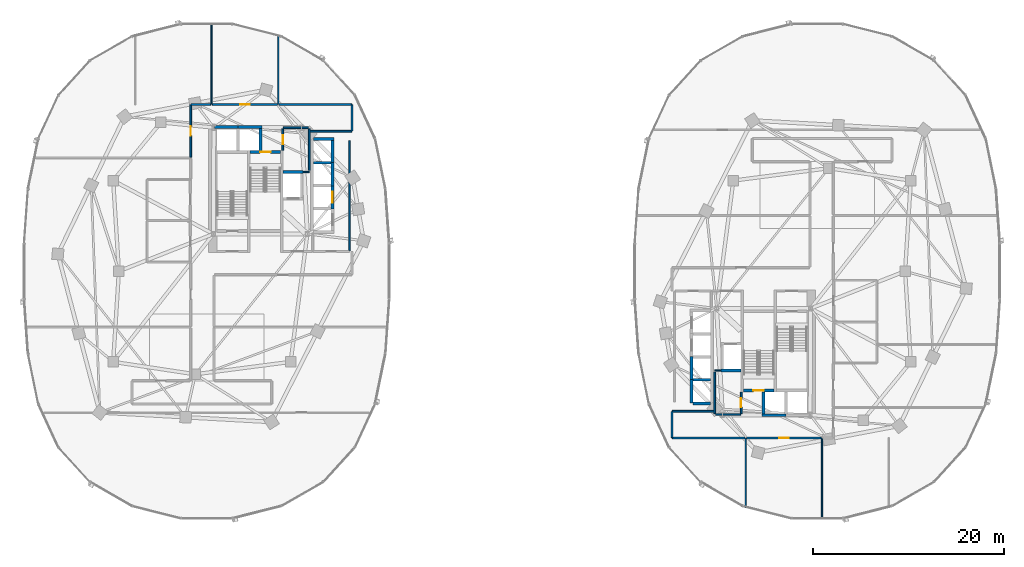
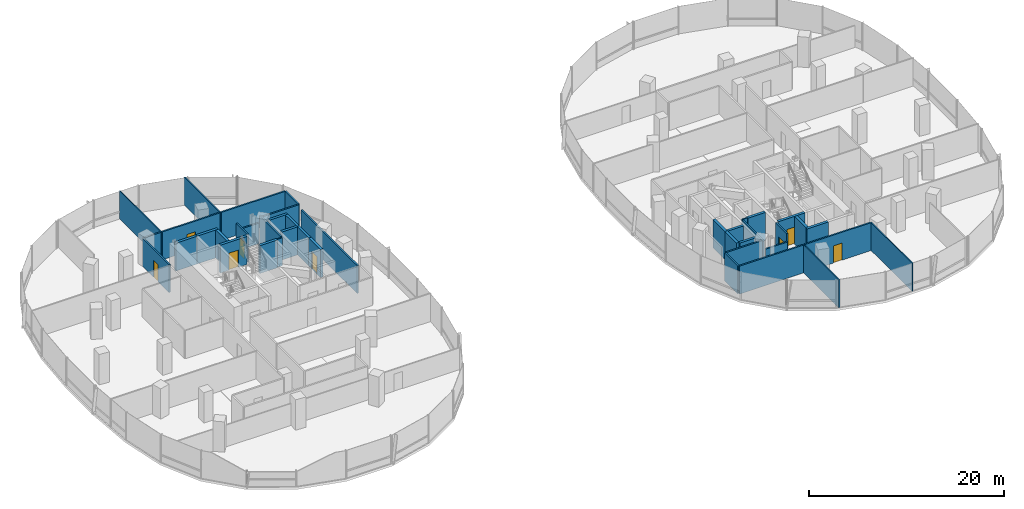
# One storey, part 12 of 21: 41 walls, 8 doors, 8 openings.
"""IFC4 building model written with IfcOpenShell, lengths in metres."""

from ifc_helpers import new_model, si_unit, direction, frame, frame_2d, origin, place, context, subcontext, project, spatial, rectangle, extrude, material, layer, layer_set, type_object, element, fill, save


model = new_model("IFC4")

# Units and contexts
model_context = context("Model", 3, precision=1e-05, world=origin(), true_north=direction((0.0, 1.0)))
body_context = subcontext(model_context, "Body", "Model", "MODEL_VIEW")
ifc_project = project(units=[si_unit("LENGTHUNIT", "METRE"), si_unit("AREAUNIT", "SQUARE_METRE"), si_unit("VOLUMEUNIT", "CUBIC_METRE"), si_unit("PLANEANGLEUNIT", "RADIAN"), si_unit("MASSUNIT", "GRAM", prefix="KILO"), si_unit("THERMODYNAMICTEMPERATUREUNIT", "KELVIN"), si_unit("POWERUNIT", "WATT")], contexts=[model_context])

# Site, building, storey
site_placement = place(None, origin())
site = spatial("IfcSite", under=ifc_project, at=site_placement, CompositionType="ELEMENT")
building_placement = place(site_placement, origin())
building = spatial("IfcBuilding", under=site, at=building_placement, Name="Cundina Bronze Exchange", CompositionType="ELEMENT")
storey_placement = place(building_placement, frame((0.0, 0.0, 58.199951171875)))
storey = spatial("IfcBuildingStorey", under=building, at=storey_placement, Name="L14", CompositionType="ELEMENT", Elevation=58.199951171875)

# Walls
ifc_material_1 = material(Name="Gypsum Fireboard Partition EI120")
ifc_layer_1 = layer(ifc_material_1, 0.179931640625, Name="Gypsum Fireboard Partition EI120")
ifc_layer_set_1 = layer_set([ifc_layer_1], Name="Gypsum Fireboard Partition EI120")
wall_type_1 = type_object("IfcWallType", Name="WL-COR-180", PredefinedType="PARTITIONING", material=ifc_layer_set_1)
wall_1_placement = place(storey_placement, frame((-17.02001953125, 2.169921875, 0.0), z_axis=(0.0, 0.0, 1.0), x_axis=(0.0, 1.0, 0.0)))
element("IfcWall", 1, at=wall_1_placement, inside=storey, type_object=wall_type_1, Name="L14 Interior Partition 001", PredefinedType="PARTITIONING", context=body_context, shape_type="SweptSolid", body=[
    extrude(rectangle(XDim=11.510009765625, YDim=0.179931640625, at=frame_2d((5.7548828125, 0.0))), origin(), (0.0, 0.0, 1.0), 3.5),
])
wall_2_placement = place(storey_placement, frame((-21.25, 10.570068359375, 0.0), z_axis=(0.0, 0.0, 1.0), x_axis=(0.0, 1.0, 0.0)))
element("IfcWall", 2, at=wall_2_placement, inside=storey, type_object=wall_type_1, Name="L14 Interior Partition 004", PredefinedType="PARTITIONING", context=body_context, shape_type="SweptSolid", body=[
    extrude(rectangle(XDim=4.35986328125, YDim=0.179931640625, at=frame_2d((2.179931640625, 0.0))), origin(), (0.0, 0.0, 1.0), 3.5),
])
wall_3_placement = place(storey_placement, frame((-23.9599609375, 15.030029296875, 0.0), z_axis=(0.0, 0.0, 1.0), x_axis=(1.0, 0.0, 0.0)))
element("IfcWall", 3, at=wall_3_placement, inside=storey, type_object=wall_type_1, Name="L14 Interior Partition 005", PredefinedType="PARTITIONING", context=body_context, shape_type="SweptSolid", body=[
    extrude(rectangle(XDim=2.60986328125, YDim=0.179931640625, at=frame_2d((1.304931640625, 0.0))), origin(), (0.0, 0.0, 1.0), 2.572998046875),
])

# Wall, opening, door
wall_4_placement = place(storey_placement, frame((-24.02001953125, 12.669921875, 0.0), z_axis=(0.0, 0.0, 1.0), x_axis=(0.0, 1.0, 0.0)))
wall_4 = element("IfcWall", 4, at=wall_4_placement, inside=storey, type_object=wall_type_1, Name="L14 Interior Partition 006", PredefinedType="PARTITIONING", context=body_context, shape_type="SweptSolid", body=[
    extrude(rectangle(XDim=2.260009765625, YDim=0.179931640625, at=frame_2d((1.1298828125, 0.0))), origin(), (0.0, 0.0, 1.0), 3.5),
])
opening_1_placement = place(wall_4_placement, frame((0.655029296875, 0.0, 0.0)))
opening_1 = element("IfcOpeningElement", 5, at=opening_1_placement, cuts=wall_4, Name="Opening DW-01", PredefinedType="OPENING", context=body_context, shape_type="SweptSolid", body=[
    extrude(rectangle(XDim=0.949951171875, YDim=2.10009765625, at=frame_2d((0.47509765625, 1.050048828125))), frame((0.0, 0.099853515625, 0.0), z_axis=(0.0, -1.0, 0.0), x_axis=(1.0, 0.0, 0.0)), (0.0, 0.0, 1.0), 0.199951171875),
])
ifc_material_2 = material(Name="Solid Andean Oak Timber Grade A", Category="wood")
door_type_1 = type_object("IfcDoorType", Name="DR-WC-950", OperationType="NOTDEFINED", PredefinedType="DOOR", material=ifc_material_2)
door_1_placement = place(opening_1_placement, origin())
door_1 = element("IfcDoor", 6, at=door_1_placement, inside=storey, type_object=door_type_1, Name="L14 Interior Door 006", OperationType="SINGLE_SWING_LEFT", OverallHeight=2.10009765625, OverallWidth=0.949951171875, PredefinedType="DOOR", context=body_context, shape_type="SweptSolid", body=[
    extrude(rectangle(XDim=0.949951171875, YDim=2.10009765625, at=frame_2d((0.47509765625, 1.050048828125))), frame((0.0, 0.02490234375, 0.0), z_axis=(0.0, -1.0, 0.0), x_axis=(1.0, 0.0, 0.0)), (0.0, 0.0, 1.0), 0.050048828125),
])
fill(opening_1, door_1)

# Walls
wall_5_placement = place(storey_placement, frame((-16.821533203125, 17.469970703125, 0.0), z_axis=(0.0, 0.0, 1.0), x_axis=(-1.0, 0.0, 0.0)))
element("IfcWall", 7, at=wall_5_placement, inside=storey, type_object=wall_type_1, Name="L14 Interior Partition 030", PredefinedType="PARTITIONING", context=body_context, shape_type="SweptSolid", body=[
    extrude(rectangle(XDim=7.58837890625, YDim=0.179931640625, at=frame_2d((3.794189453125, 0.0))), origin(), (0.0, 0.0, 1.0), 3.5),
])
wall_6_placement = place(storey_placement, frame((-21.178466796875, 14.679931640625, 0.0), z_axis=(0.0, 0.0, 1.0), x_axis=(1.0, 0.0, 0.0)))
element("IfcWall", 8, at=wall_6_placement, inside=storey, type_object=wall_type_1, Name="L14 Interior Partition 032", PredefinedType="PARTITIONING", context=body_context, shape_type="SweptSolid", body=[
    extrude(rectangle(XDim=4.35693359375, YDim=0.179931640625, at=frame_2d((2.178466796875, 0.0))), origin(), (0.0, 0.0, 1.0), 3.5),
])
wall_7_placement = place(storey_placement, frame((-16.780029296875, 14.721435546875, 0.0), z_axis=(0.0, 0.0, 1.0), x_axis=(0.0, 1.0, 0.0)))
element("IfcWall", 9, at=wall_7_placement, inside=storey, type_object=wall_type_1, Name="L14 Interior Partition 033", PredefinedType="PARTITIONING", context=body_context, shape_type="SweptSolid", body=[
    extrude(rectangle(XDim=2.70703125, YDim=0.179931640625, at=frame_2d((1.353515625, 0.0))), origin(), (0.0, 0.0, 1.0), 3.5),
])

# Wall, opening, door
wall_8_placement = place(storey_placement, frame((-33.669921875, 17.428466796875, 0.0), z_axis=(0.0, 0.0, 1.0), x_axis=(0.0, -1.0, 0.0)))
wall_8 = element("IfcWall", 10, at=wall_8_placement, inside=storey, type_object=wall_type_1, Name="L14 Interior Partition 035", PredefinedType="PARTITIONING", context=body_context, shape_type="SweptSolid", body=[
    extrude(rectangle(XDim=5.45849609375, YDim=0.179931640625, at=frame_2d((2.729248046875, 0.0))), origin(), (0.0, 0.0, 1.0), 3.5),
])
opening_2_placement = place(wall_8_placement, frame((2.229248046875, 0.0, 0.0)))
opening_2 = element("IfcOpeningElement", 11, at=opening_2_placement, cuts=wall_8, Name="Opening DO-01", PredefinedType="OPENING", context=body_context, shape_type="SweptSolid", body=[
    extrude(rectangle(XDim=1.0, YDim=2.14990234375, at=frame_2d((0.5, 1.074951171875))), frame((0.0, 0.099853515625, 0.0), z_axis=(0.0, -1.0, 0.0), x_axis=(1.0, 0.0, 0.0)), (0.0, 0.0, 1.0), 0.199951171875),
])
door_type_2 = type_object("IfcDoorType", Name="DR-OFF-1000", OperationType="NOTDEFINED", PredefinedType="DOOR", material=ifc_material_2)
door_2_placement = place(opening_2_placement, origin())
door_2 = element("IfcDoor", 12, at=door_2_placement, inside=storey, type_object=door_type_2, Name="L14 Interior Door 035", OperationType="SINGLE_SWING_RIGHT", OverallHeight=2.14990234375, OverallWidth=1.0, PredefinedType="DOOR", context=body_context, shape_type="SweptSolid", body=[
    extrude(rectangle(XDim=1.0, YDim=2.14990234375, at=frame_2d((0.5, 1.074951171875))), frame((0.0, 0.02490234375, 0.0), z_axis=(0.0, -1.0, 0.0), x_axis=(1.0, 0.0, 0.0)), (0.0, 0.0, 1.0), 0.050048828125),
])
fill(opening_2, door_2)

# Wall
wall_9_placement = place(storey_placement, frame((-31.590087890625, 17.469970703125, 0.0), z_axis=(0.0, 0.0, 1.0), x_axis=(-1.0, 0.0, 0.0)))
element("IfcWall", 13, at=wall_9_placement, inside=storey, type_object=wall_type_1, Name="L14 Interior Partition 036", PredefinedType="PARTITIONING", context=body_context, shape_type="SweptSolid", body=[
    extrude(rectangle(XDim=2.038330078125, YDim=0.179931640625, at=frame_2d((1.01904296875, 0.0))), origin(), (0.0, 0.0, 1.0), 3.5),
])

# Wall, opening, door
wall_10_placement = place(storey_placement, frame((-24.590087890625, 17.469970703125, 0.0), z_axis=(0.0, 0.0, 1.0), x_axis=(-1.0, 0.0, 0.0)))
wall_10 = element("IfcWall", 14, at=wall_10_placement, inside=storey, type_object=wall_type_1, Name="L14 Interior Partition 037", PredefinedType="PARTITIONING", context=body_context, shape_type="SweptSolid", body=[
    extrude(rectangle(XDim=6.81982421875, YDim=0.179931640625, at=frame_2d((3.409912109375, 0.0))), origin(), (0.0, 0.0, 1.0), 3.5),
])
opening_3_placement = place(wall_10_placement, frame((2.909912109375, 0.0, 0.0)))
opening_3 = element("IfcOpeningElement", 15, at=opening_3_placement, cuts=wall_10, Name="Opening DO-01", PredefinedType="OPENING", context=body_context, shape_type="SweptSolid", body=[
    extrude(rectangle(XDim=1.0, YDim=2.14990234375, at=frame_2d((0.5, 1.074951171875))), frame((0.0, 0.099853515625, 0.0), z_axis=(0.0, -1.0, 0.0), x_axis=(1.0, 0.0, 0.0)), (0.0, 0.0, 1.0), 0.199951171875),
])
door_3_placement = place(opening_3_placement, origin())
door_3 = element("IfcDoor", 16, at=door_3_placement, inside=storey, type_object=door_type_2, Name="L14 Interior Door 037", OperationType="SINGLE_SWING_LEFT", OverallHeight=2.14990234375, OverallWidth=1.0, PredefinedType="DOOR", context=body_context, shape_type="SweptSolid", body=[
    extrude(rectangle(XDim=1.0, YDim=2.14990234375, at=frame_2d((0.5, 1.074951171875))), frame((0.0, 0.02490234375, 0.0), z_axis=(0.0, -1.0, 0.0), x_axis=(1.0, 0.0, 0.0)), (0.0, 0.0, 1.0), 0.050048828125),
])
fill(opening_3, door_3)

# Walls
wall_11_placement = place(storey_placement, frame((21.25, -14.929931640625, 0.0), z_axis=(0.0, 0.0, 1.0), x_axis=(0.0, 1.0, 0.0)))
element("IfcWall", 17, at=wall_11_placement, inside=storey, type_object=wall_type_1, Name="L14 Interior Partition 042", PredefinedType="PARTITIONING", context=body_context, shape_type="SweptSolid", body=[
    extrude(rectangle(XDim=4.35986328125, YDim=0.179931640625, at=frame_2d((2.179931640625, 0.0))), origin(), (0.0, 0.0, 1.0), 3.5),
])
wall_12_placement = place(storey_placement, frame((21.35009765625, -15.030029296875, 0.0), z_axis=(0.0, 0.0, 1.0), x_axis=(1.0, 0.0, 0.0)))
element("IfcWall", 18, at=wall_12_placement, inside=storey, type_object=wall_type_1, Name="L14 Interior Partition 043", PredefinedType="PARTITIONING", context=body_context, shape_type="SweptSolid", body=[
    extrude(rectangle(XDim=2.60986328125, YDim=0.179931640625, at=frame_2d((1.304931640625, 0.0))), origin(), (0.0, 0.0, 1.0), 2.572998046875),
])

# Wall, opening, door
wall_13_placement = place(storey_placement, frame((24.02001953125, -14.929931640625, 0.0), z_axis=(0.0, 0.0, 1.0), x_axis=(0.0, 1.0, 0.0)))
wall_13 = element("IfcWall", 19, at=wall_13_placement, inside=storey, type_object=wall_type_1, Name="L14 Interior Partition 044", PredefinedType="PARTITIONING", context=body_context, shape_type="SweptSolid", body=[
    extrude(rectangle(XDim=2.260009765625, YDim=0.179931640625, at=frame_2d((1.1298828125, 0.0))), origin(), (0.0, 0.0, 1.0), 3.5),
])
opening_4_placement = place(wall_13_placement, frame((0.655029296875, 0.0, 0.0)))
opening_4 = element("IfcOpeningElement", 20, at=opening_4_placement, cuts=wall_13, Name="Opening DW-01", PredefinedType="OPENING", context=body_context, shape_type="SweptSolid", body=[
    extrude(rectangle(XDim=0.949951171875, YDim=2.10009765625, at=frame_2d((0.47509765625, 1.050048828125))), frame((0.0, 0.099853515625, 0.0), z_axis=(0.0, -1.0, 0.0), x_axis=(1.0, 0.0, 0.0)), (0.0, 0.0, 1.0), 0.199951171875),
])
door_4_placement = place(opening_4_placement, origin())
door_4 = element("IfcDoor", 21, at=door_4_placement, inside=storey, type_object=door_type_1, Name="L14 Interior Door 044", OperationType="SINGLE_SWING_RIGHT", OverallHeight=2.10009765625, OverallWidth=0.949951171875, PredefinedType="DOOR", context=body_context, shape_type="SweptSolid", body=[
    extrude(rectangle(XDim=0.949951171875, YDim=2.10009765625, at=frame_2d((0.47509765625, 1.050048828125))), frame((0.0, 0.02490234375, 0.0), z_axis=(0.0, -1.0, 0.0), x_axis=(1.0, 0.0, 0.0)), (0.0, 0.0, 1.0), 0.050048828125),
])
fill(opening_4, door_4)

wall_14_placement = place(storey_placement, frame((24.590087890625, -17.469970703125, 0.0), z_axis=(0.0, 0.0, 1.0), x_axis=(1.0, 0.0, 0.0)))
wall_14 = element("IfcWall", 22, at=wall_14_placement, inside=storey, type_object=wall_type_1, Name="L14 Interior Partition 060", PredefinedType="PARTITIONING", context=body_context, shape_type="SweptSolid", body=[
    extrude(rectangle(XDim=7.81982421875, YDim=0.179931640625, at=frame_2d((3.909912109375, 0.0))), origin(), (0.0, 0.0, 1.0), 3.5),
])
opening_5_placement = place(wall_14_placement, frame((3.409912109375, 0.0, 0.0)))
opening_5 = element("IfcOpeningElement", 23, at=opening_5_placement, cuts=wall_14, Name="Opening DO-01", PredefinedType="OPENING", context=body_context, shape_type="SweptSolid", body=[
    extrude(rectangle(XDim=1.0, YDim=2.14990234375, at=frame_2d((0.5, 1.074951171875))), frame((0.0, 0.099853515625, 0.0), z_axis=(0.0, -1.0, 0.0), x_axis=(1.0, 0.0, 0.0)), (0.0, 0.0, 1.0), 0.199951171875),
])
door_5_placement = place(opening_5_placement, origin())
door_5 = element("IfcDoor", 24, at=door_5_placement, inside=storey, type_object=door_type_2, Name="L14 Interior Door 060", OperationType="SINGLE_SWING_RIGHT", OverallHeight=2.14990234375, OverallWidth=1.0, PredefinedType="DOOR", context=body_context, shape_type="SweptSolid", body=[
    extrude(rectangle(XDim=1.0, YDim=2.14990234375, at=frame_2d((0.5, 1.074951171875))), frame((0.0, 0.02490234375, 0.0), z_axis=(0.0, -1.0, 0.0), x_axis=(1.0, 0.0, 0.0)), (0.0, 0.0, 1.0), 0.050048828125),
])
fill(opening_5, door_5)

# Walls
wall_15_placement = place(storey_placement, frame((16.821533203125, -17.469970703125, 0.0), z_axis=(0.0, 0.0, 1.0), x_axis=(1.0, 0.0, 0.0)))
element("IfcWall", 25, at=wall_15_placement, inside=storey, type_object=wall_type_1, Name="L14 Interior Partition 065", PredefinedType="PARTITIONING", context=body_context, shape_type="SweptSolid", body=[
    extrude(rectangle(XDim=7.58837890625, YDim=0.179931640625, at=frame_2d((3.794189453125, 0.0))), origin(), (0.0, 0.0, 1.0), 3.5),
])
wall_16_placement = place(storey_placement, frame((21.178466796875, -14.679931640625, 0.0), z_axis=(0.0, 0.0, 1.0), x_axis=(-1.0, 0.0, 0.0)))
element("IfcWall", 26, at=wall_16_placement, inside=storey, type_object=wall_type_1, Name="L14 Interior Partition 067", PredefinedType="PARTITIONING", context=body_context, shape_type="SweptSolid", body=[
    extrude(rectangle(XDim=4.35693359375, YDim=0.179931640625, at=frame_2d((2.178466796875, 0.0))), origin(), (0.0, 0.0, 1.0), 3.5),
])
wall_17_placement = place(storey_placement, frame((16.780029296875, -14.721435546875, 0.0), z_axis=(0.0, 0.0, 1.0), x_axis=(0.0, -1.0, 0.0)))
element("IfcWall", 27, at=wall_17_placement, inside=storey, type_object=wall_type_1, Name="L14 Interior Partition 068", PredefinedType="PARTITIONING", context=body_context, shape_type="SweptSolid", body=[
    extrude(rectangle(XDim=2.70703125, YDim=0.179931640625, at=frame_2d((1.353515625, 0.0))), origin(), (0.0, 0.0, 1.0), 3.5),
])
ifc_material_3 = material(Name="Gypsum Acoustic Partition EI60")
ifc_layer_2 = layer(ifc_material_3, 0.125, Name="Gypsum Acoustic Partition EI60")
ifc_layer_set_2 = layer_set([ifc_layer_2], Name="Gypsum Acoustic Partition EI60")
wall_type_2 = type_object("IfcWallType", Name="WL-OFF-125", PredefinedType="PARTITIONING", material=ifc_layer_set_2)
wall_18_placement = place(storey_placement, frame((-31.5, 17.5, 0.0), z_axis=(0.0, 0.0, 1.0), x_axis=(0.0, 1.0, 0.0)))
element("IfcWall", 28, at=wall_18_placement, inside=storey, type_object=wall_type_2, Name="L14 Interior Partition 018", PredefinedType="PARTITIONING", context=body_context, shape_type="SweptSolid", body=[
    extrude(rectangle(XDim=8.485107421875, YDim=0.125, at=frame_2d((4.24267578125, 0.0))), origin(), (0.0, 0.0, 1.0), 3.5),
])
for number, where, z_axis, x_axis, name in (
    (29, (-24.5, 17.5, 0.0), (0.0, 0.0, 1.0), (0.0, 1.0, 0.0), "L14 Interior Partition 019"),
    (30, (24.5, -24.772216796875, 0.0), (0.0, 0.0, 1.0), (0.0, 1.0, 0.0), "L14 Interior Partition 057"),
):
    element("IfcWall", number, at=place(storey_placement, frame(where, z_axis=z_axis, x_axis=x_axis)), inside=storey, type_object=wall_type_2, Name=name, PredefinedType="PARTITIONING", context=body_context, shape_type="SweptSolid", body=[
        extrude(rectangle(XDim=7.272216796875, YDim=0.125, at=frame_2d((3.63623046875, 0.0))), origin(), (0.0, 0.0, 1.0), 3.5),
    ])
wall_19_placement = place(storey_placement, frame((32.5, -25.985107421875, 0.0), z_axis=(0.0, 0.0, 1.0), x_axis=(0.0, 1.0, 0.0)))
element("IfcWall", 31, at=wall_19_placement, inside=storey, type_object=wall_type_2, Name="L14 Interior Partition 058", PredefinedType="PARTITIONING", context=body_context, shape_type="SweptSolid", body=[
    extrude(rectangle(XDim=8.485107421875, YDim=0.125, at=frame_2d((4.24267578125, 0.0))), origin(), (0.0, 0.0, 1.0), 3.5),
])

# Wall, opening, door
ifc_material_4 = material(Name="Concrete C50/60", Category="concrete")
ifc_layer_3 = layer(ifc_material_4, 0.300048828125, Name="Concrete C50/60", Category="concrete")
ifc_layer_set_3 = layer_set([ifc_layer_3], Name="Concrete C50/60")
wall_type_3 = type_object("IfcWallType", Name="WL-SHFT-300", PredefinedType="SHEAR", material=ifc_layer_set_3)
wall_20_placement = place(storey_placement, frame((-27.43994140625, 12.5, 0.0), z_axis=(0.0, 0.0, 1.0), x_axis=(1.0, 0.0, 0.0)))
wall_20 = element("IfcWall", 32, at=wall_20_placement, inside=storey, type_object=wall_type_3, Name="L14 Stair W2 Landing Wall", PredefinedType="SHEAR", context=body_context, shape_type="SweptSolid", body=[
    extrude(rectangle(XDim=3.159912109375, YDim=0.300048828125, at=frame_2d((1.580078125, 0.0))), origin(), (0.0, 0.0, 1.0), 3.5),
])
opening_6_placement = place(wall_20_placement, frame((1.030029296875, 0.0, 0.0)))
opening_6 = element("IfcOpeningElement", 33, at=opening_6_placement, cuts=wall_20, Name="Opening DS-01", PredefinedType="OPENING", context=body_context, shape_type="SweptSolid", body=[
    extrude(rectangle(XDim=1.10009765625, YDim=2.14990234375, at=frame_2d((0.550048828125, 1.074951171875))), frame((0.0, 0.159912109375, 0.0), z_axis=(0.0, -1.0, 0.0), x_axis=(1.0, 0.0, 0.0)), (0.0, 0.0, 1.0), 0.320068359375),
])
ifc_material_5 = material(Name="Steel ASTM A36 Painted", Category="steel")
door_type_3 = type_object("IfcDoorType", Name="DR-STR-1100", OperationType="NOTDEFINED", PredefinedType="DOOR", material=ifc_material_5)
door_6_placement = place(opening_6_placement, origin())
door_6 = element("IfcDoor", 34, at=door_6_placement, inside=storey, type_object=door_type_3, Name="L14 Smokeproof Stair W2 Door", OperationType="SINGLE_SWING_LEFT", OverallHeight=2.14990234375, OverallWidth=1.10009765625, PredefinedType="DOOR", context=body_context, shape_type="SweptSolid", body=[
    extrude(rectangle(XDim=1.10009765625, YDim=2.14990234375, at=frame_2d((0.550048828125, 1.074951171875))), frame((0.0, 0.02490234375, 0.0), z_axis=(0.0, -1.0, 0.0), x_axis=(1.0, 0.0, 0.0)), (0.0, 0.0, 1.0), 0.050048828125),
])
fill(opening_6, door_6)

# Walls
wall_21_placement = place(storey_placement, frame((-23.97998046875, 10.39990234375, 0.0), z_axis=(0.0, 0.0, 1.0), x_axis=(1.0, 0.0, 0.0)))
element("IfcWall", 35, at=wall_21_placement, inside=storey, type_object=wall_type_3, Name="L14 FFL-W Hoistway Back Wall", PredefinedType="SHEAR", context=body_context, shape_type="SweptSolid", body=[
    extrude(rectangle(XDim=2.10009765625, YDim=0.300048828125, at=frame_2d((1.050048828125, 0.0))), origin(), (0.0, 0.0, 1.0), 3.5),
])
for number, where, z_axis, x_axis, name in (
    (36, (-31.199951171875, 15.10009765625, 0.0), (0.0, 0.0, 1.0), (1.0, 0.0, 0.0), "L14 PH-W1 Hoistway Front Wall"),
    (37, (-28.699951171875, 15.10009765625, 0.0), (0.0, 0.0, 1.0), (1.0, 0.0, 0.0), "L14 PH-W2 Hoistway Front Wall"),
):
    element("IfcWall", number, at=place(storey_placement, frame(where, z_axis=z_axis, x_axis=x_axis)), inside=storey, type_object=wall_type_3, Name=name, PredefinedType="SHEAR", context=body_context, shape_type="SweptSolid", body=[
        extrude(rectangle(XDim=2.5, YDim=0.300048828125, at=frame_2d((1.25, 0.0))), origin(), (0.0, 0.0, 1.0), 3.5),
    ])
wall_22_placement = place(storey_placement, frame((-26.35009765625, 12.64990234375, 0.0), z_axis=(0.0, 0.0, 1.0), x_axis=(0.0, 1.0, 0.0)))
element("IfcWall", 38, at=wall_22_placement, inside=storey, type_object=wall_type_3, Name="L14 PH-W2 Hoistway Divider Wall", PredefinedType="SHEAR", context=body_context, shape_type="SweptSolid", body=[
    extrude(rectangle(XDim=2.300048828125, YDim=0.300048828125, at=frame_2d((1.14990234375, 0.0))), origin(), (0.0, 0.0, 1.0), 3.5),
])
wall_23_placement = place(storey_placement, frame((-20.800048828125, 13.85009765625, 0.0), z_axis=(0.0, 0.0, 1.0), x_axis=(1.0, 0.0, 0.0)))
element("IfcWall", 39, at=wall_23_placement, inside=storey, type_object=wall_type_3, Name="L14 W Passenger Bank North Cap Wall", PredefinedType="SHEAR", context=body_context, shape_type="SweptSolid", body=[
    extrude(rectangle(XDim=2.150146484375, YDim=0.300048828125, at=frame_2d((1.0751953125, 0.0))), origin(), (0.0, 0.0, 1.0), 3.5),
])
wall_24_placement = place(storey_placement, frame((-20.800048828125, 11.375, 0.0), z_axis=(0.0, 0.0, 1.0), x_axis=(1.0, 0.0, 0.0)))
element("IfcWall", 40, at=wall_24_placement, inside=storey, type_object=wall_type_3, Name="L14 W Passenger Hoistway Divider 3", PredefinedType="SHEAR", context=body_context, shape_type="SweptSolid", body=[
    extrude(rectangle(XDim=1.85009765625, YDim=0.300048828125, at=frame_2d((0.925048828125, 0.0))), origin(), (0.0, 0.0, 1.0), 3.5),
])

# Wall, opening, door
wall_25_placement = place(storey_placement, frame((-18.800048828125, 6.530029296875, 0.0), z_axis=(0.0, 0.0, 1.0), x_axis=(0.0, 1.0, 0.0)))
wall_25 = element("IfcWall", 41, at=wall_25_placement, inside=storey, type_object=wall_type_3, Name="L14 PL-W1 Hoistway Front Wall", PredefinedType="SHEAR", context=body_context, shape_type="SweptSolid", body=[
    extrude(rectangle(XDim=2.489990234375, YDim=0.300048828125, at=frame_2d((1.2451171875, 0.0))), origin(), (0.0, 0.0, 1.0), 3.5),
])
opening_7_placement = place(wall_25_placement, frame((0.669921875, 0.0, 0.0)))
opening_7 = element("IfcOpeningElement", 42, at=opening_7_placement, cuts=wall_25, Name="Opening LD-01", PredefinedType="OPENING", context=body_context, shape_type="SweptSolid", body=[
    extrude(rectangle(XDim=1.14990234375, YDim=2.199951171875, at=frame_2d((0.574951171875, 1.10009765625))), frame((0.0, 0.159912109375, 0.0), z_axis=(0.0, -1.0, 0.0), x_axis=(1.0, 0.0, 0.0)), (0.0, 0.0, 1.0), 0.320068359375),
])
door_type_4 = type_object("IfcDoorType", Name="DR-LND-1150", OperationType="NOTDEFINED", PredefinedType="TRAPDOOR", material=ifc_material_5)
door_7_placement = place(opening_7_placement, origin())
door_7 = element("IfcDoor", 43, at=door_7_placement, inside=storey, type_object=door_type_4, Name="L14 PL-W1 Sliding Landing Door", OperationType="SLIDING_TO_LEFT", OverallHeight=2.199951171875, OverallWidth=1.14990234375, PredefinedType="TRAPDOOR", context=body_context, shape_type="SweptSolid", body=[
    extrude(rectangle(XDim=1.14990234375, YDim=2.199951171875, at=frame_2d((0.574951171875, 1.10009765625))), frame((0.0, 0.02490234375, 0.0), z_axis=(0.0, -1.0, 0.0), x_axis=(1.0, 0.0, 0.0)), (0.0, 0.0, 1.0), 0.050048828125),
])
fill(opening_7, door_7)

# Walls
for number, where, z_axis, x_axis, name in (
    (44, (-18.800048828125, 8.929931640625, 0.0), (0.0, 0.0, 1.0), (0.0, 1.0, 0.0), "L14 PM-W2 Hoistway Front Wall"),
    (45, (-18.800048828125, 11.330078125, 0.0), (0.0, 0.0, 1.0), (0.0, 1.0, 0.0), "L14 PM-W1 Hoistway Front Wall"),
):
    element("IfcWall", number, at=place(storey_placement, frame(where, z_axis=z_axis, x_axis=x_axis)), inside=storey, type_object=wall_type_3, Name=name, PredefinedType="SHEAR", context=body_context, shape_type="SweptSolid", body=[
        extrude(rectangle(XDim=2.489990234375, YDim=0.300048828125, at=frame_2d((1.2451171875, 0.0))), origin(), (0.0, 0.0, 1.0), 3.5),
    ])

# Wall, opening, door
wall_26_placement = place(storey_placement, frame((24.280029296875, -12.5, 0.0), z_axis=(0.0, 0.0, 1.0), x_axis=(1.0, 0.0, 0.0)))
wall_26 = element("IfcWall", 46, at=wall_26_placement, inside=storey, type_object=wall_type_3, Name="L14 Stair E2 Landing Wall", PredefinedType="SHEAR", context=body_context, shape_type="SweptSolid", body=[
    extrude(rectangle(XDim=3.159912109375, YDim=0.300048828125, at=frame_2d((1.580078125, 0.0))), origin(), (0.0, 0.0, 1.0), 3.5),
])
opening_8_placement = place(wall_26_placement, frame((1.030029296875, 0.0, 0.0)))
opening_8 = element("IfcOpeningElement", 47, at=opening_8_placement, cuts=wall_26, Name="Opening DS-01", PredefinedType="OPENING", context=body_context, shape_type="SweptSolid", body=[
    extrude(rectangle(XDim=1.10009765625, YDim=2.14990234375, at=frame_2d((0.550048828125, 1.074951171875))), frame((0.0, 0.159912109375, 0.0), z_axis=(0.0, -1.0, 0.0), x_axis=(1.0, 0.0, 0.0)), (0.0, 0.0, 1.0), 0.320068359375),
])
door_8_placement = place(opening_8_placement, origin())
door_8 = element("IfcDoor", 48, at=door_8_placement, inside=storey, type_object=door_type_3, Name="L14 Smokeproof Stair E2 Door", OperationType="SINGLE_SWING_RIGHT", OverallHeight=2.14990234375, OverallWidth=1.10009765625, PredefinedType="DOOR", context=body_context, shape_type="SweptSolid", body=[
    extrude(rectangle(XDim=1.10009765625, YDim=2.14990234375, at=frame_2d((0.550048828125, 1.074951171875))), frame((0.0, 0.02490234375, 0.0), z_axis=(0.0, -1.0, 0.0), x_axis=(1.0, 0.0, 0.0)), (0.0, 0.0, 1.0), 0.050048828125),
])
fill(opening_8, door_8)

# Walls
wall_27_placement = place(storey_placement, frame((21.8798828125, -10.39990234375, 0.0), z_axis=(0.0, 0.0, 1.0), x_axis=(1.0, 0.0, 0.0)))
element("IfcWall", 49, at=wall_27_placement, inside=storey, type_object=wall_type_3, Name="L14 FFL-E Hoistway Back Wall", PredefinedType="SHEAR", context=body_context, shape_type="SweptSolid", body=[
    extrude(rectangle(XDim=2.10009765625, YDim=0.300048828125, at=frame_2d((1.050048828125, 0.0))), origin(), (0.0, 0.0, 1.0), 3.5),
])
wall_28_placement = place(storey_placement, frame((26.199951171875, -15.10009765625, 0.0), z_axis=(0.0, 0.0, 1.0), x_axis=(1.0, 0.0, 0.0)))
element("IfcWall", 50, at=wall_28_placement, inside=storey, type_object=wall_type_3, Name="L14 PH-E2 Hoistway Front Wall", PredefinedType="SHEAR", context=body_context, shape_type="SweptSolid", body=[
    extrude(rectangle(XDim=2.5, YDim=0.300048828125, at=frame_2d((1.25, 0.0))), origin(), (0.0, 0.0, 1.0), 3.5),
])
wall_29_placement = place(storey_placement, frame((26.35009765625, -14.949951171875, 0.0), z_axis=(0.0, 0.0, 1.0), x_axis=(0.0, 1.0, 0.0)))
element("IfcWall", 51, at=wall_29_placement, inside=storey, type_object=wall_type_3, Name="L14 PH-E2 Hoistway Divider Wall", PredefinedType="SHEAR", context=body_context, shape_type="SweptSolid", body=[
    extrude(rectangle(XDim=2.300048828125, YDim=0.300048828125, at=frame_2d((1.14990234375, 0.0))), origin(), (0.0, 0.0, 1.0), 3.5),
])
for number, where, z_axis, x_axis, name in (
    (52, (18.949951171875, -13.85009765625, 0.0), (0.0, 0.0, 1.0), (1.0, 0.0, 0.0), "L14 E Passenger Bank South Cap Wall"),
    (53, (18.949951171875, -11.375, 0.0), (0.0, 0.0, 1.0), (1.0, 0.0, 0.0), "L14 E Passenger Hoistway Divider 1"),
):
    element("IfcWall", number, at=place(storey_placement, frame(where, z_axis=z_axis, x_axis=x_axis)), inside=storey, type_object=wall_type_3, Name=name, PredefinedType="SHEAR", context=body_context, shape_type="SweptSolid", body=[
        extrude(rectangle(XDim=1.85009765625, YDim=0.300048828125, at=frame_2d((0.925048828125, 0.0))), origin(), (0.0, 0.0, 1.0), 3.5),
    ])
for number, where, z_axis, x_axis, name in (
    (54, (18.800048828125, -13.820068359375, 0.0), (0.0, 0.0, 1.0), (0.0, 1.0, 0.0), "L14 PM-E1 Hoistway Front Wall"),
    (55, (18.800048828125, -11.419921875, 0.0), (0.0, 0.0, 1.0), (0.0, 1.0, 0.0), "L14 PM-E2 Hoistway Front Wall"),
):
    element("IfcWall", number, at=place(storey_placement, frame(where, z_axis=z_axis, x_axis=x_axis)), inside=storey, type_object=wall_type_3, Name=name, PredefinedType="SHEAR", context=body_context, shape_type="SweptSolid", body=[
        extrude(rectangle(XDim=2.489990234375, YDim=0.300048828125, at=frame_2d((1.2451171875, 0.0))), origin(), (0.0, 0.0, 1.0), 3.5),
    ])
ifc_material_6 = material(Name="Moisture-Resistant Masonry Block Grade M15", Category="masonry")
ifc_layer_4 = layer(ifc_material_6, 0.139892578125, Name="Moisture-Resistant Masonry Block Grade M15", Category="masonry")
ifc_layer_set_4 = layer_set([ifc_layer_4], Name="Moisture-Resistant Masonry Block Grade M15")
wall_type_4 = type_object("IfcWallType", Name="WL-WET-140", PredefinedType="PARTITIONING", material=ifc_layer_set_4)
for number, where, z_axis, x_axis, name in (
    (56, (-21.860107421875, 10.39990234375, 0.0), (0.0, 0.0, 1.0), (1.0, 0.0, 0.0), "L14 Interior Partition 003"),
    (57, (21.27001953125, -10.39990234375, 0.0), (0.0, 0.0, 1.0), (1.0, 0.0, 0.0), "L14 Interior Partition 041"),
):
    element("IfcWall", number, at=place(storey_placement, frame(where, z_axis=z_axis, x_axis=x_axis)), inside=storey, type_object=wall_type_4, Name=name, PredefinedType="PARTITIONING", context=body_context, shape_type="SweptSolid", body=[
        extrude(rectangle(XDim=0.590087890625, YDim=0.139892578125, at=frame_2d((0.294921875, 0.0))), origin(), (0.0, 0.0, 1.0), 3.5),
    ])

save(model, "model.ifc")
